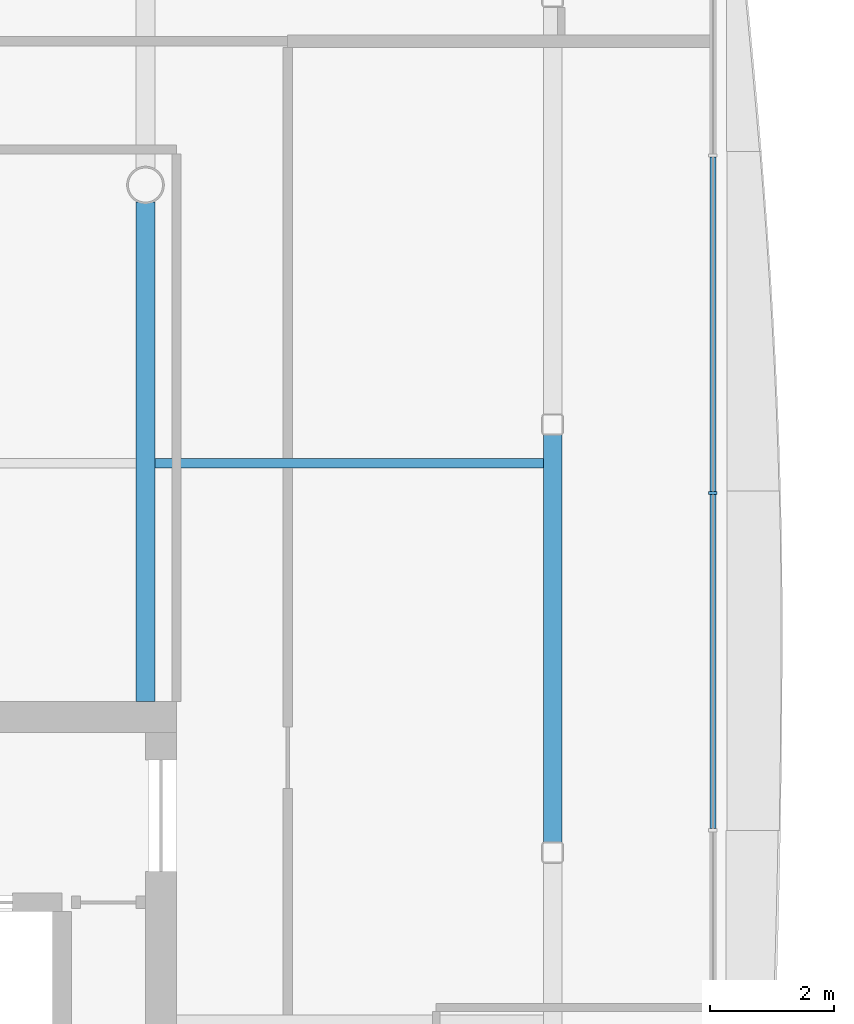
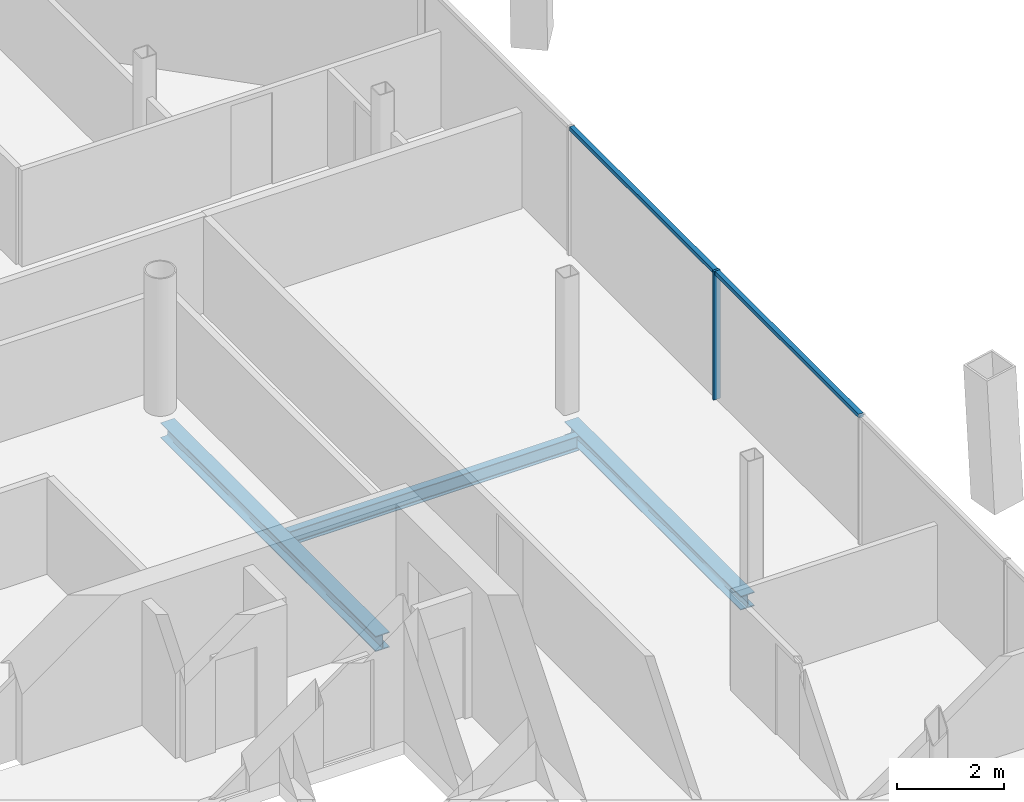
# One storey, part 9 of 20: 3 beams, 3 members, 1 element without a shape of its own.
"""IFC4 building model written with IfcOpenShell, lengths in metres."""

from ifc_helpers import new_model, si_unit, direction, frame, origin, origin_2d, place, context, subcontext, project, spatial, rectangle, i_section, extrude, material, material_profile, profile_set, type_object, element, aggregate, save


model = new_model("IFC4")

# Units and contexts
model_context = context("Model", 3, precision=1e-05, world=origin(), true_north=direction((0.0, 1.0)))
body_context = subcontext(model_context, "Body", "Model", "MODEL_VIEW")
ifc_project = project(units=[si_unit("LENGTHUNIT", "METRE"), si_unit("AREAUNIT", "SQUARE_METRE"), si_unit("VOLUMEUNIT", "CUBIC_METRE"), si_unit("PLANEANGLEUNIT", "RADIAN"), si_unit("MASSUNIT", "GRAM", prefix="KILO")], contexts=[model_context])

# Site, building, storey
site_placement = place(None, origin())
site = spatial("IfcSite", under=ifc_project, at=site_placement, CompositionType="ELEMENT")
building_placement = place(site_placement, origin())
building = spatial("IfcBuilding", under=site, at=building_placement, Name="Tskaro Facet Tower", CompositionType="ELEMENT")
storey_placement = place(building_placement, frame((0.0, 0.0, 175.35009765625)))
storey = spatial("IfcBuildingStorey", under=building, at=storey_placement, Name="L43", CompositionType="ELEMENT", Elevation=175.35009765625)

# Curtain wall, members
ifc_material_1 = material(Name="Bronze anodised aluminium 6063-T6", Category="aluminium")
curtain_wall_type = type_object("IfcCurtainWallType", Name="Bronze residence curtain wall (FW3)", PredefinedType="NOTDEFINED", material=ifc_material_1)
curtain_wall_placement = place(storey_placement, origin())
curtain_wall = element("IfcCurtainWall", 1, at=curtain_wall_placement, inside=storey, type_object=curtain_wall_type, Name="FW3 east facet L43", PredefinedType="NOTDEFINED")
ifc_material_profile_1 = material_profile(ifc_material_1, rectangle(XDim=0.050048828125, YDim=0.139892578125, at=origin_2d()), Name="Mullion 50x140")
ifc_profile_set_1 = profile_set([ifc_material_profile_1], Name="Bronze anodised aluminium 6063-T6")
member_type_1 = type_object("IfcMemberType", Name="FW3 bronze mullion 50x140", PredefinedType="MULLION", material=ifc_profile_set_1)
member_1_placement = place(storey_placement, frame((18.176025390625, 4.020751953125, 0.0), z_axis=(0.0, 0.0, 1.0), x_axis=(0.0, 1.0, 0.0)))
member_1 = element("IfcMember", 2, at=member_1_placement, type_object=member_type_1, Name="FW3 east mullion 4", PredefinedType="MULLION", context=body_context, shape_type="SweptSolid", body=[
    extrude(rectangle(XDim=0.050048828125, YDim=0.139892578125, at=origin_2d()), origin(), (0.0, 0.0, 1.0), 2.949951171875),
])
ifc_material_profile_2 = material_profile(ifc_material_1, rectangle(XDim=0.10009765625, YDim=0.090087890625, at=origin_2d()), Name="Transom 100x90")
ifc_profile_set_2 = profile_set([ifc_material_profile_2], Name="Bronze anodised aluminium 6063-T6")
member_type_2 = type_object("IfcMemberType", Name="FW3 bronze transom 100x90", PredefinedType="USERDEFINED", material=ifc_profile_set_2)
member_2_placement = place(storey_placement, frame((18.176025390625, -1.409423828125, 2.90478515625), z_axis=(0.0, 1.0, 0.0), x_axis=(-1.0, 0.0, 0.0)))
member_2 = element("IfcMember", 3, at=member_2_placement, type_object=member_type_2, Name="FW3 east transom 4.1", ObjectType="TRANSOM", PredefinedType="USERDEFINED", context=body_context, shape_type="SweptSolid", body=[
    extrude(rectangle(XDim=0.10009765625, YDim=0.090087890625, at=origin_2d()), origin(), (0.0, 0.0, 1.0), 5.405029296875),
])
member_3_placement = place(storey_placement, frame((18.176025390625, 4.045654296875, 2.90478515625), z_axis=(0.0, 1.0, 0.0), x_axis=(-1.0, 0.0, 0.0)))
member_3 = element("IfcMember", 4, at=member_3_placement, type_object=member_type_2, Name="FW3 east transom 5.1", ObjectType="TRANSOM", PredefinedType="USERDEFINED", context=body_context, shape_type="SweptSolid", body=[
    extrude(rectangle(XDim=0.10009765625, YDim=0.090087890625, at=origin_2d()), origin(), (0.0, 0.0, 1.0), 5.4052734375),
])
aggregate(curtain_wall, [member_1, member_2, member_3])

# Beams
ifc_material_2 = material(Name="Steel S355J2", Category="steel")
ifc_material_profile_3 = material_profile(ifc_material_2, i_section(OverallWidth=0.300048828125, OverallDepth=0.320068359375, WebThickness=0.011474609375, FlangeThickness=0.0205078125, FilletRadius=0.027099609375, at=origin_2d()), Name="HE 320 B")
ifc_profile_set_3 = profile_set([ifc_material_profile_3], Name="Steel S355J2")
beam_type_1 = type_object("IfcBeamType", Name="HE 320 B ring beam", PredefinedType="BEAM", material=ifc_profile_set_3)
beam_1_placement = place(storey_placement, frame((15.5830078125, -1.637939453125, -0.300048828125), z_axis=(0.0, 1.0, 0.0), x_axis=(-1.0, 0.0, 0.0)))
element("IfcBeam", 5, at=beam_1_placement, inside=storey, type_object=beam_type_1, Name="HE 320 B EB8-4", PredefinedType="BEAM", context=body_context, shape_type="SweptSolid", body=[
    extrude(i_section(OverallWidth=0.300048828125, OverallDepth=0.320068359375, WebThickness=0.011474609375, FlangeThickness=0.0205078125, FilletRadius=0.027099609375, at=origin_2d()), origin(), (0.0, 0.0, 1.0), 6.60888671875),
])
ifc_material_profile_4 = material_profile(ifc_material_2, i_section(OverallWidth=0.300048828125, OverallDepth=0.35009765625, WebThickness=0.010009765625, FlangeThickness=0.017578125, FilletRadius=0.027099609375, at=origin_2d()), Name="HE 360 A")
ifc_profile_set_4 = profile_set([ifc_material_profile_4], Name="Steel S355J2")
beam_type_2 = type_object("IfcBeamType", Name="HE 360 A girder", PredefinedType="BEAM", material=ifc_profile_set_4)
beam_2_placement = place(storey_placement, frame((9.0, 0.64990234375, -0.315185546875), z_axis=(0.0, 1.0, 0.0), x_axis=(-1.0, 0.0, 0.0)))
element("IfcBeam", 6, at=beam_2_placement, inside=storey, type_object=beam_type_2, Name="HE 360 A GB5-2-4", PredefinedType="BEAM", context=body_context, shape_type="SweptSolid", body=[
    extrude(i_section(OverallWidth=0.300048828125, OverallDepth=0.35009765625, WebThickness=0.010009765625, FlangeThickness=0.017578125, FilletRadius=0.027099609375, at=origin_2d()), origin(), (0.0, 0.0, 1.0), 8.0751953125),
])
ifc_material_profile_5 = material_profile(ifc_material_2, i_section(OverallWidth=0.159912109375, OverallDepth=0.330078125, WebThickness=0.007568359375, FlangeThickness=0.011474609375, FilletRadius=0.01806640625, at=origin_2d()), Name="IPE 330")
ifc_profile_set_5 = profile_set([ifc_material_profile_5], Name="Steel S355J2")
beam_type_3 = type_object("IfcBeamType", Name="IPE 330 secondary beam", PredefinedType="BEAM", material=ifc_profile_set_5)
beam_3_placement = place(storey_placement, frame((9.14990234375, 4.5, -0.30517578125), z_axis=(1.0, 0.0, 0.0), x_axis=(0.0, 1.0, 0.0)))
element("IfcBeam", 7, at=beam_3_placement, inside=storey, type_object=beam_type_3, Name="IPE 330 SB4a-5-4", PredefinedType="BEAM", context=body_context, shape_type="SweptSolid", body=[
    extrude(i_section(OverallWidth=0.159912109375, OverallDepth=0.330078125, WebThickness=0.007568359375, FlangeThickness=0.011474609375, FilletRadius=0.01806640625, at=origin_2d()), origin(), (0.0, 0.0, 1.0), 6.283203125),
])

save(model, "model.ifc")
